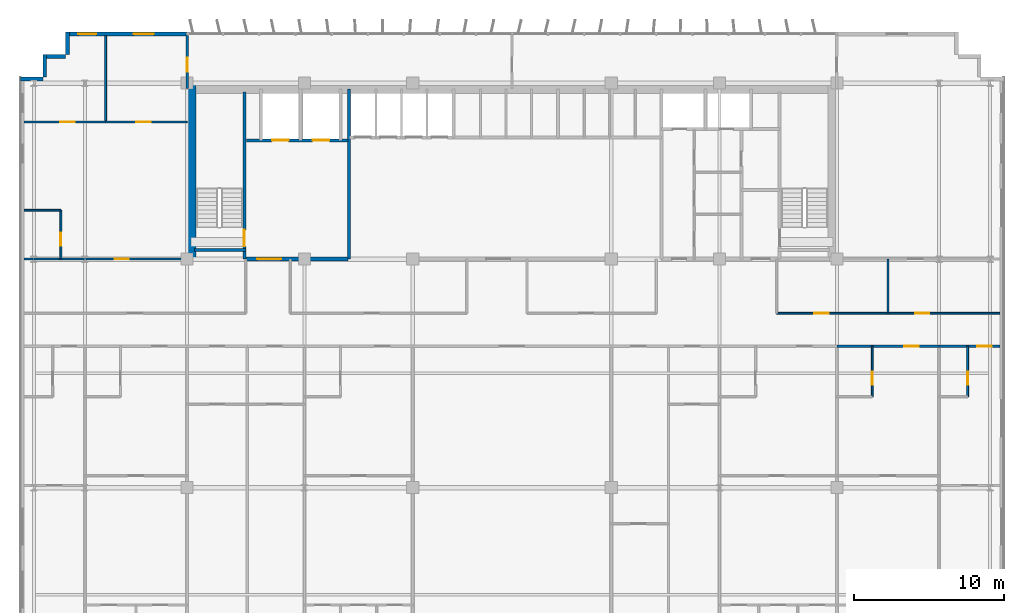
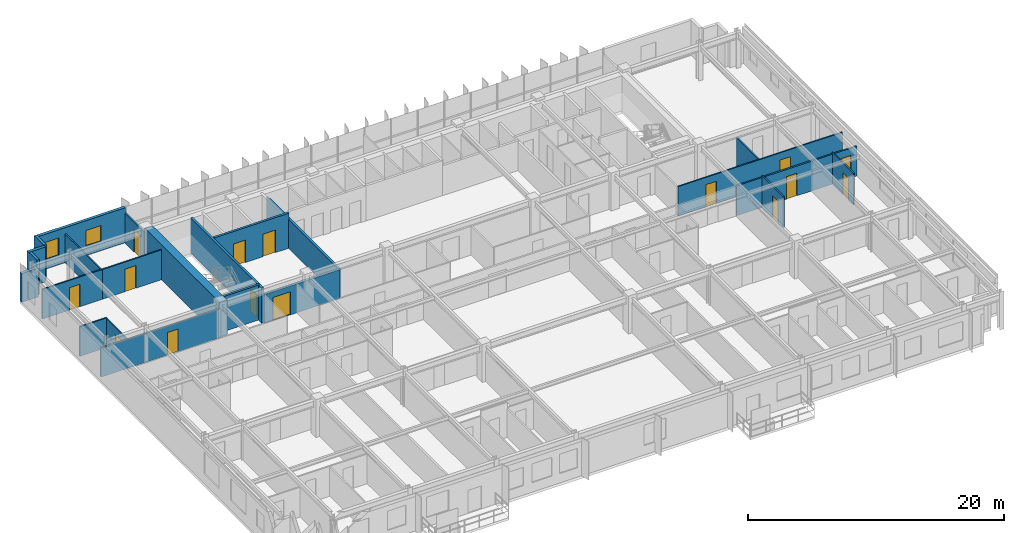
# One storey, part 17 of 22: 24 walls, 15 doors, 2 windows, 17 openings.
"""IFC4 building model written with IfcOpenShell, lengths in metres."""

from ifc_helpers import new_model, si_unit, direction, frame, frame_2d, origin, place, context, subcontext, project, spatial, rectangle, extrude, source, transform, mapped, material, layer, layer_set, type_object, element, fill, save


model = new_model("IFC4")

# Units and contexts
model_context = context("Model", 3, precision=1e-05, world=origin(), true_north=direction((0.0, 1.0)))
body_context = subcontext(model_context, "Body", "Model", "MODEL_VIEW")
ifc_project = project(units=[si_unit("LENGTHUNIT", "METRE"), si_unit("AREAUNIT", "SQUARE_METRE"), si_unit("VOLUMEUNIT", "CUBIC_METRE"), si_unit("PLANEANGLEUNIT", "RADIAN"), si_unit("MASSUNIT", "GRAM", prefix="KILO")], contexts=[model_context])

# Site, building, storey
site_placement = place(None, origin())
site = spatial("IfcSite", under=ifc_project, at=site_placement, CompositionType="ELEMENT")
building_placement = place(site_placement, origin())
building = spatial("IfcBuilding", under=site, at=building_placement, Name="Trelvane Seafront Commons", CompositionType="ELEMENT")
storey_placement = place(building_placement, frame((0.0, 0.0, 99.699951171875)))
storey = spatial("IfcBuildingStorey", under=building, at=storey_placement, Name="L25", CompositionType="ELEMENT", Elevation=99.699951171875)

# Wall, openings, windows
ifc_material_1 = material(Name="Precast concrete C40/50", Category="concrete")
ifc_layer_1 = layer(ifc_material_1, 0.260009765625, Name="ARCH-WALL-EXT260")
ifc_layer_set_1 = layer_set([ifc_layer_1], Name="Precast concrete C40/50")
wall_type_1 = type_object("IfcWallType", Name="ARCH-WALL-EXT260", PredefinedType="SOLIDWALL", material=ifc_layer_set_1)
wall_1_placement = place(storey_placement, frame((7.60009765625, 48.3701171875, 0.0), z_axis=(0.0, 0.0, 1.0), x_axis=(1.0, 0.0, 0.0)))
wall_1 = element("IfcWall", 1, at=wall_1_placement, inside=storey, type_object=wall_type_1, Name="EW-L25-NW-0454", PredefinedType="SOLIDWALL", context=body_context, shape_type="SweptSolid", body=[
    extrude(rectangle(XDim=8.0, YDim=0.260009765625, at=frame_2d((4.0, 0.0))), origin(), (0.0, 0.0, 1.0), 3.340087890625),
])
opening_1_placement = place(wall_1_placement, frame((0.76806640625, 0.0, 0.89990234375)))
opening_1 = element("IfcOpeningElement", 2, at=opening_1_placement, cuts=wall_1, Name="Opening W05", PredefinedType="OPENING", context=body_context, shape_type="SweptSolid", body=[
    extrude(rectangle(XDim=1.199951171875, YDim=1.64990234375, at=frame_2d((0.60009765625, 0.824951171875))), frame((0.0, 0.139892578125, 0.0), z_axis=(0.0, -1.0, 0.0), x_axis=(1.0, 0.0, 0.0)), (0.0, 0.0, 1.0), 0.280029296875),
])
opening_2_placement = place(wall_1_placement, frame((4.44091796875, 0.0, 0.89990234375)))
opening_2 = element("IfcOpeningElement", 3, at=opening_2_placement, cuts=wall_1, Name="Opening W09", PredefinedType="OPENING", context=body_context, shape_type="SweptSolid", body=[
    extrude(rectangle(XDim=1.35009765625, YDim=1.5, at=frame_2d((0.675048828125, 0.75))), frame((0.0, 0.139892578125, 0.0), z_axis=(0.0, -1.0, 0.0), x_axis=(1.0, 0.0, 0.0)), (0.0, 0.0, 1.0), 0.280029296875),
])
ifc_material_2 = material(Name="Low-E coastal double glazing", Category="glass")
window_type_1 = type_object("IfcWindowType", Name="ARCH-WIN-W09", PartitioningType="SINGLE_PANEL", PredefinedType="WINDOW", material=ifc_material_2)
shared_shape_1 = source(origin(), body_context, "Body", "SweptSolid", [
    extrude(rectangle(XDim=1.35009765625, YDim=1.5, at=frame_2d((0.675048828125, 0.75))), frame((0.0, 0.030029296875, 0.0), z_axis=(0.0, -1.0, 0.0), x_axis=(1.0, 0.0, 0.0)), (0.0, 0.0, 1.0), 0.06005859375),
])
window_1_placement = place(opening_2_placement, origin())
window_1 = element("IfcWindow", 4, at=window_1_placement, inside=storey, type_object=window_type_1, Name="WIN-L25-00533", OverallHeight=1.5, OverallWidth=1.35009765625, PartitioningType="SINGLE_PANEL", PredefinedType="WINDOW", context=body_context, shape_type="MappedRepresentation", body=[
    mapped(shared_shape_1, transform((0.0, 0.0, 0.0), x_axis=(1.0, 0.0, 0.0), y_axis=(0.0, 1.0, 0.0), z_axis=(0.0, 0.0, 1.0), scale=1.0)),
])
fill(opening_2, window_1)
window_type_2 = type_object("IfcWindowType", Name="ARCH-WIN-W05", PartitioningType="SINGLE_PANEL", PredefinedType="WINDOW", material=ifc_material_2)
shared_shape_2 = source(origin(), body_context, "Body", "SweptSolid", [
    extrude(rectangle(XDim=1.199951171875, YDim=1.64990234375, at=frame_2d((0.60009765625, 0.824951171875))), frame((0.0, 0.030029296875, 0.0), z_axis=(0.0, -1.0, 0.0), x_axis=(1.0, 0.0, 0.0)), (0.0, 0.0, 1.0), 0.06005859375),
])
window_2_placement = place(opening_1_placement, origin())
window_2 = element("IfcWindow", 5, at=window_2_placement, inside=storey, type_object=window_type_2, Name="WIN-L25-00532", OverallHeight=1.64990234375, OverallWidth=1.199951171875, PartitioningType="SINGLE_PANEL", PredefinedType="WINDOW", context=body_context, shape_type="MappedRepresentation", body=[
    mapped(shared_shape_2, transform((0.0, 0.0, 0.0), x_axis=(1.0, 0.0, 0.0), y_axis=(0.0, 1.0, 0.0), z_axis=(0.0, 0.0, 1.0), scale=1.0)),
])
fill(opening_1, window_2)

# Walls
wall_2_placement = place(storey_placement, frame((4.5, 45.3701171875, 0.0), z_axis=(0.0, 0.0, 1.0), x_axis=(1.0, 0.0, 0.0)))
element("IfcWall", 6, at=wall_2_placement, inside=storey, type_object=wall_type_1, Name="EW-L25-00460", PredefinedType="SOLIDWALL", context=body_context, shape_type="SweptSolid", body=[
    extrude(rectangle(XDim=1.5, YDim=0.260009765625, at=frame_2d((0.75, 0.0))), origin(), (0.0, 0.0, 1.0), 2.751953125),
])
for number, where, z_axis, x_axis, name in (
    (7, (6.1298828125, 45.5, 0.0), (0.0, 0.0, 1.0), (0.0, 1.0, 0.0), "EW-L25-00461"),
    (8, (6.0, 46.8701171875, 0.0), (0.0, 0.0, 1.0), (1.0, 0.0, 0.0), "EW-L25-00462"),
    (9, (7.6298828125, 47.0, 0.0), (0.0, 0.0, 1.0), (0.0, 1.0, 0.0), "EW-L25-00463"),
):
    element("IfcWall", number, at=place(storey_placement, frame(where, z_axis=z_axis, x_axis=x_axis)), inside=storey, type_object=wall_type_1, Name=name, PredefinedType="SOLIDWALL", context=body_context, shape_type="SweptSolid", body=[
        extrude(rectangle(XDim=1.5, YDim=0.260009765625, at=frame_2d((0.75, 0.0))), origin(), (0.0, 0.0, 1.0), 3.340087890625),
    ])

# Wall, opening, door
ifc_material_3 = material(Name="Concrete C40/50", Category="concrete")
ifc_layer_2 = layer(ifc_material_3, 0.25, Name="ARCH-WALL-FIRE250")
ifc_layer_set_2 = layer_set([ifc_layer_2], Name="Concrete C40/50")
wall_type_2 = type_object("IfcWallType", Name="ARCH-WALL-FIRE250", PredefinedType="PARTITIONING", material=ifc_layer_set_2)
wall_3_placement = place(storey_placement, frame((19.5, 33.39990234375, 0.0), z_axis=(0.0, 0.0, 1.0), x_axis=(1.0, 0.0, 0.0)))
wall_3 = element("IfcWall", 10, at=wall_3_placement, inside=storey, type_object=wall_type_2, Name="W-L25-CS-FFL-013", PredefinedType="PARTITIONING", context=body_context, shape_type="SweptSolid", body=[
    extrude(rectangle(XDim=6.800048828125, YDim=0.25, at=frame_2d((3.39990234375, 0.0))), origin(), (0.0, 0.0, 1.0), 2.751953125),
])
opening_3_placement = place(wall_3_placement, frame((0.75, 0.0, 0.0)))
opening_3 = element("IfcOpeningElement", 11, at=opening_3_placement, cuts=wall_3, Name="Opening FD-L25-05", PredefinedType="OPENING", context=body_context, shape_type="SweptSolid", body=[
    extrude(rectangle(XDim=1.60009765625, YDim=2.199951171875, at=frame_2d((0.800048828125, 1.10009765625))), frame((0.0, 0.135009765625, 0.0), z_axis=(0.0, -1.0, 0.0), x_axis=(1.0, 0.0, 0.0)), (0.0, 0.0, 1.0), 0.27001953125),
])
ifc_material_4 = material(Name="Powder-coated aluminium frame", Category="aluminium")
door_type_1 = type_object("IfcDoorType", Name="ARCH-DR-FD60-1600", OperationType="DOUBLE_DOOR_SINGLE_SWING", PredefinedType="DOOR", material=ifc_material_4)
shared_shape_3 = source(origin(), body_context, "Body", "SweptSolid", [
    extrude(rectangle(XDim=1.60009765625, YDim=2.199951171875, at=frame_2d((0.800048828125, 1.10009765625))), frame((0.0, 0.02490234375, 0.0), z_axis=(0.0, -1.0, 0.0), x_axis=(1.0, 0.0, 0.0)), (0.0, 0.0, 1.0), 0.050048828125),
])
door_1_placement = place(opening_3_placement, origin())
door_1 = element("IfcDoor", 12, at=door_1_placement, inside=storey, type_object=door_type_1, Name="L25 Firefighting Lift Lobby Double Fire Door", OperationType="DOUBLE_DOOR_SINGLE_SWING", OverallHeight=2.199951171875, OverallWidth=1.60009765625, PredefinedType="DOOR", context=body_context, shape_type="MappedRepresentation", body=[
    mapped(shared_shape_3, transform((0.0, 0.0, 0.0), x_axis=(1.0, 0.0, 0.0), y_axis=(0.0, 1.0, 0.0), z_axis=(0.0, 0.0, 1.0), scale=1.0)),
])
fill(opening_3, door_1)

# Wall, openings, doors
ifc_material_5 = material(Name="Gypsum Drywall Acoustic Partition")
ifc_layer_3 = layer(ifc_material_5, 0.1201171875, Name="ARCH-WALL-PART120")
ifc_layer_set_3 = layer_set([ifc_layer_3], Name="Gypsum Drywall Acoustic Partition")
wall_type_3 = type_object("IfcWallType", Name="ARCH-WALL-PART120", PredefinedType="PARTITIONING", material=ifc_layer_set_3)
wall_4_placement = place(storey_placement, frame((54.800048828125, 29.800048828125, 0.0), z_axis=(0.0, 0.0, 1.0), x_axis=(1.0, 0.0, 0.0)))
wall_4 = element("IfcWall", 13, at=wall_4_placement, inside=storey, type_object=wall_type_3, Name="W-L25-CORR-N-E-042", PredefinedType="PARTITIONING", context=body_context, shape_type="SweptSolid", body=[
    extrude(rectangle(XDim=14.849853515625, YDim=0.1201171875, at=frame_2d((7.4248046875, 0.0))), origin(), (0.0, 0.0, 1.0), 2.840087890625),
])
opening_4_placement = place(wall_4_placement, frame((2.5, 0.0, 0.0)))
opening_4 = element("IfcOpeningElement", 14, at=opening_4_placement, cuts=wall_4, Name="Opening D-L25-22", PredefinedType="OPENING", context=body_context, shape_type="SweptSolid", body=[
    extrude(rectangle(XDim=0.949951171875, YDim=2.14990234375, at=frame_2d((0.47509765625, 1.074951171875))), frame((0.0, 0.070068359375, 0.0), z_axis=(0.0, -1.0, 0.0), x_axis=(1.0, 0.0, 0.0)), (0.0, 0.0, 1.0), 0.14013671875),
])
opening_5_placement = place(wall_4_placement, frame((9.199951171875, 0.0, 0.0)))
opening_5 = element("IfcOpeningElement", 15, at=opening_5_placement, cuts=wall_4, Name="Opening D-L25-23", PredefinedType="OPENING", context=body_context, shape_type="SweptSolid", body=[
    extrude(rectangle(XDim=0.949951171875, YDim=2.14990234375, at=frame_2d((0.47509765625, 1.074951171875))), frame((0.0, 0.070068359375, 0.0), z_axis=(0.0, -1.0, 0.0), x_axis=(1.0, 0.0, 0.0)), (0.0, 0.0, 1.0), 0.14013671875),
])
ifc_material_6 = material(Name="Acoustic timber door leaf", Category="wood")
door_type_2 = type_object("IfcDoorType", Name="ARCH-DR-INT950", OperationType="NOTDEFINED", PredefinedType="DOOR", material=ifc_material_6)
shared_shape_4 = source(origin(), body_context, "Body", "SweptSolid", [
    extrude(rectangle(XDim=0.949951171875, YDim=2.14990234375, at=frame_2d((0.47509765625, 1.074951171875))), frame((0.0, 0.02490234375, 0.0), z_axis=(0.0, -1.0, 0.0), x_axis=(1.0, 0.0, 0.0)), (0.0, 0.0, 1.0), 0.050048828125),
])
door_2_placement = place(opening_4_placement, origin())
door_2 = element("IfcDoor", 16, at=door_2_placement, inside=storey, type_object=door_type_2, Name="L25 Door 22", OperationType="SINGLE_SWING_RIGHT", OverallHeight=2.14990234375, OverallWidth=0.949951171875, PredefinedType="DOOR", context=body_context, shape_type="MappedRepresentation", body=[
    mapped(shared_shape_4, transform((0.0, 0.0, 0.0), x_axis=(1.0, 0.0, 0.0), y_axis=(0.0, 1.0, 0.0), z_axis=(0.0, 0.0, 1.0), scale=1.0)),
])
fill(opening_4, door_2)
door_3_placement = place(opening_5_placement, origin())
door_3 = element("IfcDoor", 17, at=door_3_placement, inside=storey, type_object=door_type_2, Name="L25 Door 23", OperationType="SINGLE_SWING_LEFT", OverallHeight=2.14990234375, OverallWidth=0.949951171875, PredefinedType="DOOR", context=body_context, shape_type="MappedRepresentation", body=[
    mapped(shared_shape_4, transform((0.0, 0.0, 0.0), x_axis=(1.0, 0.0, 0.0), y_axis=(0.0, 1.0, 0.0), z_axis=(0.0, 0.0, 1.0), scale=1.0)),
])
fill(opening_5, door_3)

# Wall
wall_5_placement = place(storey_placement, frame((62.199951171875, 29.800048828125, 0.0), z_axis=(0.0, 0.0, 1.0), x_axis=(0.0, 1.0, 0.0)))
element("IfcWall", 18, at=wall_5_placement, inside=storey, type_object=wall_type_3, Name="W-L25-N-LAUN-DV-043", PredefinedType="PARTITIONING", context=body_context, shape_type="SweptSolid", body=[
    extrude(rectangle(XDim=3.599853515625, YDim=0.1201171875, at=frame_2d((1.7998046875, 0.0))), origin(), (0.0, 0.0, 1.0), 2.751953125),
])

# Wall, opening, door
wall_6_placement = place(storey_placement, frame((7.199951171875, 33.39990234375, 0.0), z_axis=(0.0, 0.0, 1.0), x_axis=(0.0, 1.0, 0.0)))
wall_6 = element("IfcWall", 19, at=wall_6_placement, inside=storey, type_object=wall_type_3, Name="W-L25-NW-BE-050", PredefinedType="PARTITIONING", context=body_context, shape_type="SweptSolid", body=[
    extrude(rectangle(XDim=3.25, YDim=0.1201171875, at=frame_2d((1.625, 0.0))), origin(), (0.0, 0.0, 1.0), 2.751953125),
])
opening_6_placement = place(wall_6_placement, frame((0.89990234375, 0.0, 0.0)))
opening_6 = element("IfcOpeningElement", 20, at=opening_6_placement, cuts=wall_6, Name="Opening D-L25-24", PredefinedType="OPENING", context=body_context, shape_type="SweptSolid", body=[
    extrude(rectangle(XDim=0.85009765625, YDim=2.10009765625, at=frame_2d((0.425048828125, 1.050048828125))), frame((0.0, 0.070068359375, 0.0), z_axis=(0.0, -1.0, 0.0), x_axis=(1.0, 0.0, 0.0)), (0.0, 0.0, 1.0), 0.14013671875),
])
door_type_3 = type_object("IfcDoorType", Name="ARCH-DR-INT850", OperationType="NOTDEFINED", PredefinedType="DOOR", material=ifc_material_6)
shared_shape_5 = source(origin(), body_context, "Body", "SweptSolid", [
    extrude(rectangle(XDim=0.85009765625, YDim=2.10009765625, at=frame_2d((0.425048828125, 1.050048828125))), frame((0.0, 0.02490234375, 0.0), z_axis=(0.0, -1.0, 0.0), x_axis=(1.0, 0.0, 0.0)), (0.0, 0.0, 1.0), 0.050048828125),
])
door_4_placement = place(opening_6_placement, origin())
door_4 = element("IfcDoor", 21, at=door_4_placement, inside=storey, type_object=door_type_3, Name="L25 Door 24", OperationType="SINGLE_SWING_RIGHT", OverallHeight=2.10009765625, OverallWidth=0.85009765625, PredefinedType="DOOR", context=body_context, shape_type="MappedRepresentation", body=[
    mapped(shared_shape_5, transform((0.0, 0.0, 0.0), x_axis=(1.0, 0.0, 0.0), y_axis=(0.0, 1.0, 0.0), z_axis=(0.0, 0.0, 1.0), scale=1.0)),
])
fill(opening_6, door_4)

# Wall
wall_7_placement = place(storey_placement, frame((4.75, 36.64990234375, 0.0), z_axis=(0.0, 0.0, 1.0), x_axis=(1.0, 0.0, 0.0)))
element("IfcWall", 22, at=wall_7_placement, inside=storey, type_object=wall_type_3, Name="W-L25-NW-BN-051", PredefinedType="PARTITIONING", context=body_context, shape_type="SweptSolid", body=[
    extrude(rectangle(XDim=2.449951171875, YDim=0.1201171875, at=frame_2d((1.22509765625, 0.0))), origin(), (0.0, 0.0, 1.0), 2.840087890625),
])

# Wall, opening, door
wall_8_placement = place(storey_placement, frame((4.75, 42.52001953125, 0.0), z_axis=(0.0, 0.0, 1.0), x_axis=(1.0, 0.0, 0.0)))
wall_8 = element("IfcWall", 23, at=wall_8_placement, inside=storey, type_object=wall_type_3, Name="W-L25-NW-KB1-052", PredefinedType="PARTITIONING", context=body_context, shape_type="SweptSolid", body=[
    extrude(rectangle(XDim=5.425048828125, YDim=0.1201171875, at=frame_2d((2.71240234375, 0.0))), origin(), (0.0, 0.0, 1.0), 2.840087890625),
])
opening_7_placement = place(wall_8_placement, frame((2.423095703125, 0.0, 0.0)))
opening_7 = element("IfcOpeningElement", 24, at=opening_7_placement, cuts=wall_8, Name="Opening D-L25-25", PredefinedType="OPENING", context=body_context, shape_type="SweptSolid", body=[
    extrude(rectangle(XDim=0.949951171875, YDim=2.14990234375, at=frame_2d((0.47509765625, 1.074951171875))), frame((0.0, 0.070068359375, 0.0), z_axis=(0.0, -1.0, 0.0), x_axis=(1.0, 0.0, 0.0)), (0.0, 0.0, 1.0), 0.14013671875),
])
door_5_placement = place(opening_7_placement, origin())
door_5 = element("IfcDoor", 25, at=door_5_placement, inside=storey, type_object=door_type_2, Name="L25 Door 25", OperationType="SINGLE_SWING_LEFT", OverallHeight=2.14990234375, OverallWidth=0.949951171875, PredefinedType="DOOR", context=body_context, shape_type="MappedRepresentation", body=[
    mapped(shared_shape_4, transform((0.0, 0.0, 0.0), x_axis=(1.0, 0.0, 0.0), y_axis=(0.0, 1.0, 0.0), z_axis=(0.0, 0.0, 1.0), scale=1.0)),
])
fill(opening_7, door_5)

wall_9_placement = place(storey_placement, frame((10.175048828125, 42.52001953125, 0.0), z_axis=(0.0, 0.0, 1.0), x_axis=(1.0, 0.0, 0.0)))
wall_9 = element("IfcWall", 26, at=wall_9_placement, inside=storey, type_object=wall_type_3, Name="W-L25-NW-KB2-053", PredefinedType="PARTITIONING", context=body_context, shape_type="SweptSolid", body=[
    extrude(rectangle(XDim=5.425048828125, YDim=0.1201171875, at=frame_2d((2.71240234375, 0.0))), origin(), (0.0, 0.0, 1.0), 2.840087890625),
])
opening_8_placement = place(wall_9_placement, frame((2.052001953125, 0.0, 0.0)))
opening_8 = element("IfcOpeningElement", 27, at=opening_8_placement, cuts=wall_9, Name="Opening D-L25-26", PredefinedType="OPENING", context=body_context, shape_type="SweptSolid", body=[
    extrude(rectangle(XDim=0.949951171875, YDim=2.14990234375, at=frame_2d((0.47509765625, 1.074951171875))), frame((0.0, 0.070068359375, 0.0), z_axis=(0.0, -1.0, 0.0), x_axis=(1.0, 0.0, 0.0)), (0.0, 0.0, 1.0), 0.14013671875),
])
door_6_placement = place(opening_8_placement, origin())
door_6 = element("IfcDoor", 28, at=door_6_placement, inside=storey, type_object=door_type_2, Name="L25 Door 26", OperationType="SINGLE_SWING_RIGHT", OverallHeight=2.14990234375, OverallWidth=0.949951171875, PredefinedType="DOOR", context=body_context, shape_type="MappedRepresentation", body=[
    mapped(shared_shape_4, transform((0.0, 0.0, 0.0), x_axis=(1.0, 0.0, 0.0), y_axis=(0.0, 1.0, 0.0), z_axis=(0.0, 0.0, 1.0), scale=1.0)),
])
fill(opening_8, door_6)

# Wall
wall_10_placement = place(storey_placement, frame((10.175048828125, 42.52001953125, 0.0), z_axis=(0.0, 0.0, 1.0), x_axis=(0.0, 1.0, 0.0)))
element("IfcWall", 29, at=wall_10_placement, inside=storey, type_object=wall_type_3, Name="W-L25-NW-KBDV-054", PredefinedType="PARTITIONING", context=body_context, shape_type="SweptSolid", body=[
    extrude(rectangle(XDim=5.719970703125, YDim=0.1201171875, at=frame_2d((2.85986328125, 0.0))), origin(), (0.0, 0.0, 1.0), 2.751953125),
])

# Wall, opening, door
wall_11_placement = place(storey_placement, frame((61.162109375, 24.25, 0.0), z_axis=(0.0, 0.0, 1.0), x_axis=(0.0, 1.0, 0.0)))
wall_11 = element("IfcWall", 30, at=wall_11_placement, inside=storey, type_object=wall_type_3, Name="W-L25-U10-BE-110", PredefinedType="PARTITIONING", context=body_context, shape_type="SweptSolid", body=[
    extrude(rectangle(XDim=3.35009765625, YDim=0.1201171875, at=frame_2d((1.675048828125, 0.0))), origin(), (0.0, 0.0, 1.0), 2.989990234375),
])
opening_9_placement = place(wall_11_placement, frame((0.800048828125, 0.0, 0.0)))
opening_9 = element("IfcOpeningElement", 31, at=opening_9_placement, cuts=wall_11, Name="Opening D-L25-63", PredefinedType="OPENING", context=body_context, shape_type="SweptSolid", body=[
    extrude(rectangle(XDim=0.85009765625, YDim=2.10009765625, at=frame_2d((0.425048828125, 1.050048828125))), frame((0.0, 0.070068359375, 0.0), z_axis=(0.0, -1.0, 0.0), x_axis=(1.0, 0.0, 0.0)), (0.0, 0.0, 1.0), 0.14013671875),
])
door_7_placement = place(opening_9_placement, origin())
door_7 = element("IfcDoor", 32, at=door_7_placement, inside=storey, type_object=door_type_3, Name="L25 Door 63", OperationType="SINGLE_SWING_LEFT", OverallHeight=2.10009765625, OverallWidth=0.85009765625, PredefinedType="DOOR", context=body_context, shape_type="MappedRepresentation", body=[
    mapped(shared_shape_5, transform((0.0, 0.0, 0.0), x_axis=(1.0, 0.0, 0.0), y_axis=(0.0, 1.0, 0.0), z_axis=(0.0, 0.0, 1.0), scale=1.0)),
])
fill(opening_9, door_7)

wall_12_placement = place(storey_placement, frame((67.5, 24.25, 0.0), z_axis=(0.0, 0.0, 1.0), x_axis=(0.0, 1.0, 0.0)))
wall_12 = element("IfcWall", 33, at=wall_12_placement, inside=storey, type_object=wall_type_3, Name="W-L25-U11-BE-117", PredefinedType="PARTITIONING", context=body_context, shape_type="SweptSolid", body=[
    extrude(rectangle(XDim=3.35009765625, YDim=0.1201171875, at=frame_2d((1.675048828125, 0.0))), origin(), (0.0, 0.0, 1.0), 2.989990234375),
])
opening_10_placement = place(wall_12_placement, frame((0.800048828125, 0.0, 0.0)))
opening_10 = element("IfcOpeningElement", 34, at=opening_10_placement, cuts=wall_12, Name="Opening D-L25-68", PredefinedType="OPENING", context=body_context, shape_type="SweptSolid", body=[
    extrude(rectangle(XDim=0.85009765625, YDim=2.10009765625, at=frame_2d((0.425048828125, 1.050048828125))), frame((0.0, 0.070068359375, 0.0), z_axis=(0.0, -1.0, 0.0), x_axis=(1.0, 0.0, 0.0)), (0.0, 0.0, 1.0), 0.14013671875),
])
door_8_placement = place(opening_10_placement, origin())
door_8 = element("IfcDoor", 35, at=door_8_placement, inside=storey, type_object=door_type_3, Name="L25 Door 68", OperationType="SINGLE_SWING_RIGHT", OverallHeight=2.10009765625, OverallWidth=0.85009765625, PredefinedType="DOOR", context=body_context, shape_type="MappedRepresentation", body=[
    mapped(shared_shape_5, transform((0.0, 0.0, 0.0), x_axis=(1.0, 0.0, 0.0), y_axis=(0.0, 1.0, 0.0), z_axis=(0.0, 0.0, 1.0), scale=1.0)),
])
fill(opening_10, door_8)

ifc_layer_4 = layer(ifc_material_5, 0.14990234375, Name="ARCH-WALL-PART150")
ifc_layer_set_4 = layer_set([ifc_layer_4], Name="Gypsum Drywall Acoustic Partition")
wall_type_4 = type_object("IfcWallType", Name="ARCH-WALL-PART150", PredefinedType="PARTITIONING", material=ifc_layer_set_4)
wall_13_placement = place(storey_placement, frame((4.75, 33.39990234375, 0.0), z_axis=(0.0, 0.0, 1.0), x_axis=(1.0, 0.0, 0.0)))
wall_13 = element("IfcWall", 36, at=wall_13_placement, inside=storey, type_object=wall_type_4, Name="W-L25-NW-ENT-055", PredefinedType="PARTITIONING", context=body_context, shape_type="SweptSolid", body=[
    extrude(rectangle(XDim=10.85009765625, YDim=0.14990234375, at=frame_2d((5.425048828125, 0.0))), origin(), (0.0, 0.0, 1.0), 2.751953125),
])
opening_11_placement = place(wall_13_placement, frame((6.02490234375, 0.0, 0.0)))
opening_11 = element("IfcOpeningElement", 37, at=opening_11_placement, cuts=wall_13, Name="Opening FD-L25-27", PredefinedType="OPENING", context=body_context, shape_type="SweptSolid", body=[
    extrude(rectangle(XDim=0.949951171875, YDim=2.14990234375, at=frame_2d((0.47509765625, 1.074951171875))), frame((0.0, 0.0849609375, 0.0), z_axis=(0.0, -1.0, 0.0), x_axis=(1.0, 0.0, 0.0)), (0.0, 0.0, 1.0), 0.169921875),
])
door_type_4 = type_object("IfcDoorType", Name="ARCH-DR-FD60-950", OperationType="NOTDEFINED", PredefinedType="DOOR", material=ifc_material_4)
door_9_placement = place(opening_11_placement, origin())
door_9 = element("IfcDoor", 38, at=door_9_placement, inside=storey, type_object=door_type_4, Name="L25 NW Flat Entrance Door", OperationType="SINGLE_SWING_LEFT", OverallHeight=2.14990234375, OverallWidth=0.949951171875, PredefinedType="DOOR", context=body_context, shape_type="MappedRepresentation", body=[
    mapped(shared_shape_4, transform((0.0, 0.0, 0.0), x_axis=(1.0, 0.0, 0.0), y_axis=(0.0, 1.0, 0.0), z_axis=(0.0, 0.0, 1.0), scale=1.0)),
])
fill(opening_11, door_9)

wall_14_placement = place(storey_placement, frame((15.60009765625, 44.75, 0.0), z_axis=(0.0, 0.0, 1.0), x_axis=(0.0, 1.0, 0.0)))
wall_14 = element("IfcWall", 39, at=wall_14_placement, inside=storey, type_object=wall_type_4, Name="W-L25-N-LINK-W-058", PredefinedType="PARTITIONING", context=body_context, shape_type="SweptSolid", body=[
    extrude(rectangle(XDim=3.610107421875, YDim=0.14990234375, at=frame_2d((1.80517578125, 0.0))), origin(), (0.0, 0.0, 1.0), 2.840087890625),
])
opening_12_placement = place(wall_14_placement, frame((1.10009765625, 0.0, 0.0)))
opening_12 = element("IfcOpeningElement", 40, at=opening_12_placement, cuts=wall_14, Name="Opening FD-L25-30", PredefinedType="OPENING", context=body_context, shape_type="SweptSolid", body=[
    extrude(rectangle(XDim=0.949951171875, YDim=2.14990234375, at=frame_2d((0.47509765625, 1.074951171875))), frame((0.0, 0.0849609375, 0.0), z_axis=(0.0, -1.0, 0.0), x_axis=(1.0, 0.0, 0.0)), (0.0, 0.0, 1.0), 0.169921875),
])
door_10_placement = place(opening_12_placement, origin())
door_10 = element("IfcDoor", 41, at=door_10_placement, inside=storey, type_object=door_type_4, Name="L25 Door 30", OperationType="SINGLE_SWING_RIGHT", OverallHeight=2.14990234375, OverallWidth=0.949951171875, PredefinedType="DOOR", context=body_context, shape_type="MappedRepresentation", body=[
    mapped(shared_shape_4, transform((0.0, 0.0, 0.0), x_axis=(1.0, 0.0, 0.0), y_axis=(0.0, 1.0, 0.0), z_axis=(0.0, 0.0, 1.0), scale=1.0)),
])
fill(opening_12, door_10)

wall_15_placement = place(storey_placement, frame((58.800048828125, 27.60009765625, 0.0), z_axis=(0.0, 0.0, 1.0), x_axis=(1.0, 0.0, 0.0)))
wall_15 = element("IfcWall", 42, at=wall_15_placement, inside=storey, type_object=wall_type_4, Name="W-L25-CS-BAY-10-112", PredefinedType="PARTITIONING", context=body_context, shape_type="SweptSolid", body=[
    extrude(rectangle(XDim=6.800048828125, YDim=0.14990234375, at=frame_2d((3.39990234375, 0.0))), origin(), (0.0, 0.0, 1.0), 2.840087890625),
])
opening_13_placement = place(wall_15_placement, frame((4.489990234375, 0.0, 0.0)))
opening_13 = element("IfcOpeningElement", 43, at=opening_13_placement, cuts=wall_15, Name="Opening FD-L25-64", PredefinedType="OPENING", context=body_context, shape_type="SweptSolid", body=[
    extrude(rectangle(XDim=0.949951171875, YDim=2.14990234375, at=frame_2d((0.47509765625, 1.074951171875))), frame((0.0, 0.0849609375, 0.0), z_axis=(0.0, -1.0, 0.0), x_axis=(1.0, 0.0, 0.0)), (0.0, 0.0, 1.0), 0.169921875),
])
door_11_placement = place(opening_13_placement, origin())
door_11 = element("IfcDoor", 44, at=door_11_placement, inside=storey, type_object=door_type_4, Name="L25 Unit 10 Entrance Door", OperationType="SINGLE_SWING_RIGHT", OverallHeight=2.14990234375, OverallWidth=0.949951171875, PredefinedType="DOOR", context=body_context, shape_type="MappedRepresentation", body=[
    mapped(shared_shape_4, transform((0.0, 0.0, 0.0), x_axis=(1.0, 0.0, 0.0), y_axis=(0.0, 1.0, 0.0), z_axis=(0.0, 0.0, 1.0), scale=1.0)),
])
fill(opening_13, door_11)

wall_16_placement = place(storey_placement, frame((65.60009765625, 27.60009765625, 0.0), z_axis=(0.0, 0.0, 1.0), x_axis=(1.0, 0.0, 0.0)))
wall_16 = element("IfcWall", 45, at=wall_16_placement, inside=storey, type_object=wall_type_4, Name="W-L25-CS-BAY-11-119", PredefinedType="PARTITIONING", context=body_context, shape_type="SweptSolid", body=[
    extrude(rectangle(XDim=4.054931640625, YDim=0.14990234375, at=frame_2d((2.02734375, 0.0))), origin(), (0.0, 0.0, 1.0), 2.840087890625),
])
opening_14_placement = place(wall_16_placement, frame((2.5439453125, 0.0, 0.0)))
opening_14 = element("IfcOpeningElement", 46, at=opening_14_placement, cuts=wall_16, Name="Opening FD-L25-69", PredefinedType="OPENING", context=body_context, shape_type="SweptSolid", body=[
    extrude(rectangle(XDim=0.949951171875, YDim=2.14990234375, at=frame_2d((0.47509765625, 1.074951171875))), frame((0.0, 0.0849609375, 0.0), z_axis=(0.0, -1.0, 0.0), x_axis=(1.0, 0.0, 0.0)), (0.0, 0.0, 1.0), 0.169921875),
])
door_12_placement = place(opening_14_placement, origin())
door_12 = element("IfcDoor", 47, at=door_12_placement, inside=storey, type_object=door_type_4, Name="L25 Unit 11 Entrance Door", OperationType="SINGLE_SWING_LEFT", OverallHeight=2.14990234375, OverallWidth=0.949951171875, PredefinedType="DOOR", context=body_context, shape_type="MappedRepresentation", body=[
    mapped(shared_shape_4, transform((0.0, 0.0, 0.0), x_axis=(1.0, 0.0, 0.0), y_axis=(0.0, 1.0, 0.0), z_axis=(0.0, 0.0, 1.0), scale=1.0)),
])
fill(opening_14, door_12)

# Wall, openings, doors
ifc_layer_5 = layer(ifc_material_3, 0.199951171875, Name="ARCH-WALL-SHAFT200")
ifc_layer_set_5 = layer_set([ifc_layer_5], Name="Concrete C40/50")
wall_type_5 = type_object("IfcWallType", Name="ARCH-WALL-SHAFT200", PredefinedType="SOLIDWALL", material=ifc_layer_set_5)
wall_17_placement = place(storey_placement, frame((19.550048828125, 41.300048828125, 0.0), z_axis=(0.0, 0.0, 1.0), x_axis=(1.0, 0.0, 0.0)))
wall_17 = element("IfcWall", 48, at=wall_17_placement, inside=storey, type_object=wall_type_5, Name="W-L25-FFL-FRONT-008", PredefinedType="SOLIDWALL", context=body_context, shape_type="SweptSolid", body=[
    extrude(rectangle(XDim=6.75, YDim=0.199951171875, at=frame_2d((3.375, 0.0))), origin(), (0.0, 0.0, 1.0), 3.340087890625),
])
opening_15_placement = place(wall_17_placement, frame((1.699951171875, 0.0, 0.0)))
opening_15 = element("IfcOpeningElement", 49, at=opening_15_placement, cuts=wall_17, Name="Opening LD-FF1-L25", PredefinedType="OPENING", context=body_context, shape_type="SweptSolid", body=[
    extrude(rectangle(XDim=1.10009765625, YDim=2.14990234375, at=frame_2d((0.550048828125, 1.074951171875))), frame((0.0, 0.10986328125, 0.0), z_axis=(0.0, -1.0, 0.0), x_axis=(1.0, 0.0, 0.0)), (0.0, 0.0, 1.0), 0.219970703125),
])
opening_16_placement = place(wall_17_placement, frame((4.39990234375, 0.0, 0.0)))
opening_16 = element("IfcOpeningElement", 50, at=opening_16_placement, cuts=wall_17, Name="Opening LD-FF2-L25", PredefinedType="OPENING", context=body_context, shape_type="SweptSolid", body=[
    extrude(rectangle(XDim=1.10009765625, YDim=2.14990234375, at=frame_2d((0.550048828125, 1.074951171875))), frame((0.0, 0.10986328125, 0.0), z_axis=(0.0, -1.0, 0.0), x_axis=(1.0, 0.0, 0.0)), (0.0, 0.0, 1.0), 0.219970703125),
])
ifc_material_7 = material(Name="Stainless steel balustrade", Category="steel")
door_type_5 = type_object("IfcDoorType", Name="ARCH-DR-LD1100", OperationType="DOUBLE_DOOR_SLIDING", PredefinedType="DOOR", material=ifc_material_7)
shared_shape_6 = source(origin(), body_context, "Body", "SweptSolid", [
    extrude(rectangle(XDim=1.10009765625, YDim=2.14990234375, at=frame_2d((0.550048828125, 1.074951171875))), frame((0.0, 0.02490234375, 0.0), z_axis=(0.0, -1.0, 0.0), x_axis=(1.0, 0.0, 0.0)), (0.0, 0.0, 1.0), 0.050048828125),
])
door_13_placement = place(opening_15_placement, origin())
door_13 = element("IfcDoor", 51, at=door_13_placement, inside=storey, type_object=door_type_5, Name="L25 Firefighting Lift FFL-1 Landing Door", OperationType="DOUBLE_DOOR_SLIDING", OverallHeight=2.14990234375, OverallWidth=1.10009765625, PredefinedType="DOOR", context=body_context, shape_type="MappedRepresentation", body=[
    mapped(shared_shape_6, transform((0.0, 0.0, 0.0), x_axis=(1.0, 0.0, 0.0), y_axis=(0.0, 1.0, 0.0), z_axis=(0.0, 0.0, 1.0), scale=1.0)),
])
fill(opening_15, door_13)
door_14_placement = place(opening_16_placement, origin())
door_14 = element("IfcDoor", 52, at=door_14_placement, inside=storey, type_object=door_type_5, Name="L25 Firefighting Lift FFL-2 Landing Door", OperationType="DOUBLE_DOOR_SLIDING", OverallHeight=2.14990234375, OverallWidth=1.10009765625, PredefinedType="DOOR", context=body_context, shape_type="MappedRepresentation", body=[
    mapped(shared_shape_6, transform((0.0, 0.0, 0.0), x_axis=(1.0, 0.0, 0.0), y_axis=(0.0, 1.0, 0.0), z_axis=(0.0, 0.0, 1.0), scale=1.0)),
])
fill(opening_16, door_14)

# Walls
wall_18_placement = place(storey_placement, frame((26.35009765625, 33.39990234375, 0.0), z_axis=(0.0, 0.0, 1.0), x_axis=(0.0, 1.0, 0.0)))
element("IfcWall", 53, at=wall_18_placement, inside=storey, type_object=wall_type_5, Name="W-L25-FFL-EAST-012", PredefinedType="SOLIDWALL", context=body_context, shape_type="SweptSolid", body=[
    extrude(rectangle(XDim=11.300048828125, YDim=0.199951171875, at=frame_2d((5.64990234375, 0.0))), origin(), (0.0, 0.0, 1.0), 2.751953125),
])
ifc_material_8 = material(Name="Concrete C60/75", Category="concrete")
ifc_layer_6 = layer(ifc_material_8, 0.699951171875, Name="STR-WALL-CORE700")
ifc_layer_set_6 = layer_set([ifc_layer_6], Name="Concrete C60/75")
wall_type_6 = type_object("IfcWallType", Name="STR-WALL-CORE700", PredefinedType="SHEAR", material=ifc_layer_set_6)
wall_19_placement = place(storey_placement, frame((15.85009765625, 33.39990234375, 0.0), z_axis=(0.0, 0.0, 1.0), x_axis=(0.0, 1.0, 0.0)))
element("IfcWall", 54, at=wall_19_placement, inside=storey, type_object=wall_type_6, Name="W-L25-CW-END-002", PredefinedType="SHEAR", context=body_context, shape_type="SweptSolid", body=[
    extrude(rectangle(XDim=11.7001953125, YDim=0.699951171875, at=frame_2d((5.85009765625, 0.0))), origin(), (0.0, 0.0, 1.0), 3.340087890625),
])
ifc_material_9 = material(Name="Concrete C50/60", Category="concrete")
ifc_layer_7 = layer(ifc_material_9, 0.199951171875, Name="STR-WALL-STAIR200")
ifc_layer_set_7 = layer_set([ifc_layer_7], Name="Concrete C50/60")
wall_type_7 = type_object("IfcWallType", Name="STR-WALL-STAIR200", PredefinedType="SHEAR", material=ifc_layer_set_7)
wall_20_placement = place(storey_placement, frame((16.10009765625, 34.0, 0.0), z_axis=(0.0, 0.0, 1.0), x_axis=(1.0, 0.0, 0.0)))
element("IfcWall", 55, at=wall_20_placement, inside=storey, type_object=wall_type_7, Name="W-L25-ST1-S-004", PredefinedType="SHEAR", context=body_context, shape_type="SweptSolid", body=[
    extrude(rectangle(XDim=3.39990234375, YDim=0.199951171875, at=frame_2d((1.699951171875, 0.0))), origin(), (0.0, 0.0, 1.0), 3.340087890625),
])

# Wall, opening, door
wall_21_placement = place(storey_placement, frame((19.39990234375, 33.39990234375, 0.0), z_axis=(0.0, 0.0, 1.0), x_axis=(0.0, 1.0, 0.0)))
wall_21 = element("IfcWall", 56, at=wall_21_placement, inside=storey, type_object=wall_type_7, Name="W-L25-ST1-E-005", PredefinedType="SHEAR", context=body_context, shape_type="SweptSolid", body=[
    extrude(rectangle(XDim=11.10009765625, YDim=0.199951171875, at=frame_2d((5.550048828125, 0.0))), origin(), (0.0, 0.0, 1.0), 3.340087890625),
])
opening_17_placement = place(wall_21_placement, frame((0.85009765625, 0.0, 0.0)))
opening_17 = element("IfcOpeningElement", 57, at=opening_17_placement, cuts=wall_21, Name="Opening ST-D1-L25", PredefinedType="OPENING", context=body_context, shape_type="SweptSolid", body=[
    extrude(rectangle(XDim=1.10009765625, YDim=2.14990234375, at=frame_2d((0.550048828125, 1.074951171875))), frame((0.0, 0.10986328125, 0.0), z_axis=(0.0, -1.0, 0.0), x_axis=(1.0, 0.0, 0.0)), (0.0, 0.0, 1.0), 0.219970703125),
])
door_type_6 = type_object("IfcDoorType", Name="ARCH-DR-FD90-1100", OperationType="NOTDEFINED", PredefinedType="DOOR", material=ifc_material_4)
door_15_placement = place(opening_17_placement, origin())
door_15 = element("IfcDoor", 58, at=door_15_placement, inside=storey, type_object=door_type_6, Name="L25 Stair ST-1 Lobby Fire Door", OperationType="SINGLE_SWING_LEFT", OverallHeight=2.14990234375, OverallWidth=1.10009765625, PredefinedType="DOOR", context=body_context, shape_type="MappedRepresentation", body=[
    mapped(shared_shape_6, transform((0.0, 0.0, 0.0), x_axis=(1.0, 0.0, 0.0), y_axis=(0.0, 1.0, 0.0), z_axis=(0.0, 0.0, 1.0), scale=1.0)),
])
fill(opening_17, door_15)

save(model, "model.ifc")
